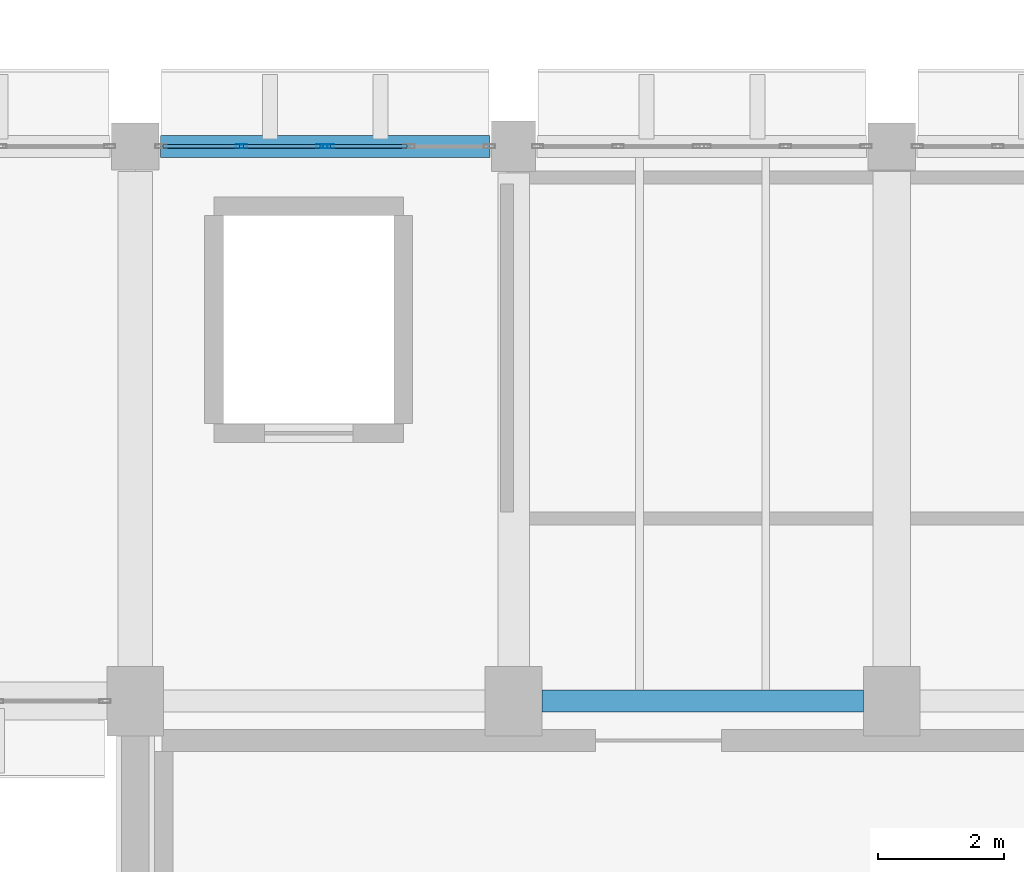
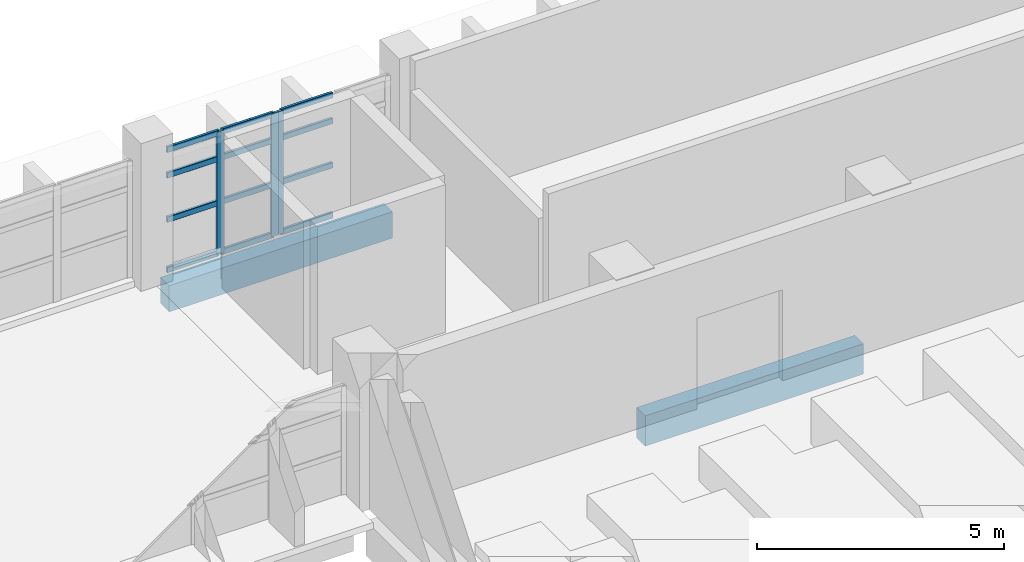
# One storey, part 33 of 80: 15 members, 2 beams, 2 elements without a shape of their own.
"""IFC4 building model written with IfcOpenShell, lengths in metres."""

from ifc_helpers import new_model, si_unit, direction, frame, origin, origin_2d, place, context, subcontext, project, spatial, rectangle, hollow_rectangle, extrude, material, material_profile, profile_set, type_object, element, aggregate, save


model = new_model("IFC4")

# Units and contexts
model_context = context("Model", 3, precision=1e-05, world=origin(), true_north=direction((0.0, 1.0)))
body_context = subcontext(model_context, "Body", "Model", "MODEL_VIEW")
ifc_project = project(units=[si_unit("LENGTHUNIT", "METRE"), si_unit("AREAUNIT", "SQUARE_METRE"), si_unit("VOLUMEUNIT", "CUBIC_METRE"), si_unit("PLANEANGLEUNIT", "RADIAN"), si_unit("MASSUNIT", "GRAM", prefix="KILO")], contexts=[model_context])

# Site, building, storey
site_placement = place(None, origin())
site = spatial("IfcSite", under=ifc_project, at=site_placement, CompositionType="ELEMENT")
building_placement = place(site_placement, origin())
building = spatial("IfcBuilding", under=site, at=building_placement, Name="Varnakota Cinema and Media Centre", CompositionType="ELEMENT")
storey_placement = place(building_placement, frame((0.0, 0.0, 4.5)))
storey = spatial("IfcBuildingStorey", under=building, at=storey_placement, Name="L01", CompositionType="ELEMENT", Elevation=4.5)

# Beams
ifc_material_1 = material(Name="Concrete M40", Category="concrete")
ifc_material_profile_1 = material_profile(ifc_material_1, rectangle(XDim=0.35009765625, YDim=0.64990234375, at=origin_2d()), Name="RCB 350x650")
ifc_profile_set_1 = profile_set([ifc_material_profile_1], Name="Concrete M40")
beam_type_1 = type_object("IfcBeamType", Name="BM-SP-350x650", PredefinedType="SPANDREL", material=ifc_profile_set_1)
beam_1_placement = place(storey_placement, frame((75.39990234375, 44.0, -0.574951171875), z_axis=(1.0, 0.0, 0.0), x_axis=(0.0, 1.0, 0.0)))
element("IfcBeam", 1, at=beam_1_placement, inside=storey, type_object=beam_type_1, Name="L01 girder K-L/6", PredefinedType="SPANDREL", context=body_context, shape_type="SweptSolid", body=[
    extrude(rectangle(XDim=0.35009765625, YDim=0.64990234375, at=origin_2d()), origin(), (0.0, 0.0, 1.0), 5.22509765625),
])
ifc_material_2 = material(Name="Concrete M40", Category="concrete")
ifc_material_profile_2 = material_profile(ifc_material_2, rectangle(XDim=0.35009765625, YDim=0.75, at=origin_2d()), Name="RCB 350x750")
ifc_profile_set_2 = profile_set([ifc_material_profile_2], Name="Concrete M40")
beam_type_2 = type_object("IfcBeamType", Name="BM-SP-350x750", PredefinedType="SPANDREL", material=ifc_profile_set_2)
beam_2_placement = place(storey_placement, frame((81.449951171875, 35.199951171875, -0.625), z_axis=(1.0, 0.0, 0.0), x_axis=(0.0, 1.0, 0.0)))
element("IfcBeam", 2, at=beam_2_placement, inside=storey, type_object=beam_type_2, Name="L01 girder L-M/5", PredefinedType="SPANDREL", context=body_context, shape_type="SweptSolid", body=[
    extrude(rectangle(XDim=0.35009765625, YDim=0.75, at=origin_2d()), origin(), (0.0, 0.0, 1.0), 5.10009765625),
])

# Curtain wall, members
ifc_material_3 = material(Name="Thermally broken anodised aluminium AW-6063", Category="aluminium")
curtain_wall_type = type_object("IfcCurtainWallType", Name="CW-STD-262x304", PredefinedType="USERDEFINED", material=ifc_material_3)
curtain_wall_1_placement = place(storey_placement, origin())
curtain_wall_1 = element("IfcCurtainWall", 3, at=curtain_wall_1_placement, inside=storey, type_object=curtain_wall_type, Name="L01 curtain wall CW-L01-V1-N-01-1", ObjectType="UNITISED CURTAIN WALL", PredefinedType="USERDEFINED")
ifc_material_4 = material(Name="Thermally broken anodised aluminium AW-6063", Category="aluminium")
ifc_material_profile_3 = material_profile(ifc_material_4, hollow_rectangle(XDim=0.06494140625, YDim=0.179931640625, WallThickness=0.00390625, InnerFilletRadius=0.00390625, OuterFilletRadius=0.008056640625, at=origin_2d()), Name="AL-MULLION 180x65x4")
ifc_profile_set_3 = profile_set([ifc_material_profile_3], Name="Thermally broken anodised aluminium AW-6063")
member_type_1 = type_object("IfcMemberType", Name="CWM-AL-180", PredefinedType="MULLION", material=ifc_profile_set_3)
member_1_placement = place(storey_placement, frame((76.683837890625, 44.0, 0.0), z_axis=(0.0, 0.0, 1.0), x_axis=(0.0, 1.0, 0.0)))
member_1 = element("IfcMember", 4, at=member_1_placement, type_object=member_type_1, Name="CW17 mullion 2", PredefinedType="MULLION", context=body_context, shape_type="SweptSolid", body=[
    extrude(hollow_rectangle(XDim=0.06494140625, YDim=0.179931640625, WallThickness=0.00390625, InnerFilletRadius=0.00390625, OuterFilletRadius=0.008056640625, at=origin_2d()), origin(), (0.0, 0.0, 1.0), 3.034912109375),
])
member_2_placement = place(storey_placement, frame((77.9599609375, 44.0, 0.0), z_axis=(0.0, 0.0, 1.0), x_axis=(0.0, 1.0, 0.0)))
member_2 = element("IfcMember", 5, at=member_2_placement, type_object=member_type_1, Name="CW17 mullion 3", PredefinedType="MULLION", context=body_context, shape_type="SweptSolid", body=[
    extrude(hollow_rectangle(XDim=0.06494140625, YDim=0.179931640625, WallThickness=0.00390625, InnerFilletRadius=0.00390625, OuterFilletRadius=0.008056640625, at=origin_2d()), origin(), (0.0, 0.0, 1.0), 3.034912109375),
])

# Curtain wall, member
curtain_wall_2_placement = place(storey_placement, origin())
curtain_wall_2 = element("IfcCurtainWall", 6, at=curtain_wall_2_placement, inside=storey, type_object=curtain_wall_type, Name="L01 curtain wall CW-L01-V1-N-01-2", ObjectType="UNITISED CURTAIN WALL", PredefinedType="USERDEFINED")
member_3_placement = place(storey_placement, frame((78.06494140625, 44.0, 0.0), z_axis=(0.0, 0.0, 1.0), x_axis=(0.0, 1.0, 0.0)))
member_3 = element("IfcMember", 7, at=member_3_placement, type_object=member_type_1, Name="CW17 mullion 1", PredefinedType="MULLION", context=body_context, shape_type="SweptSolid", body=[
    extrude(hollow_rectangle(XDim=0.06494140625, YDim=0.179931640625, WallThickness=0.00390625, InnerFilletRadius=0.00390625, OuterFilletRadius=0.008056640625, at=origin_2d()), origin(), (0.0, 0.0, 1.0), 3.034912109375),
])

# Member
ifc_material_5 = material(Name="Thermally broken anodised aluminium AW-6063", Category="aluminium")
ifc_material_profile_4 = material_profile(ifc_material_5, hollow_rectangle(XDim=0.06494140625, YDim=0.139892578125, WallThickness=0.00390625, InnerFilletRadius=0.00390625, OuterFilletRadius=0.008056640625, at=origin_2d()), Name="AL-TRANSOM 140x65x4")
ifc_profile_set_4 = profile_set([ifc_material_profile_4], Name="Thermally broken anodised aluminium AW-6063")
member_type_2 = type_object("IfcMemberType", Name="CWT-AL-140", PredefinedType="USERDEFINED", material=ifc_profile_set_4)
member_4_placement = place(storey_placement, frame((75.43994140625, 44.0, 0.032470703125), z_axis=(1.0, 0.0, 0.0), x_axis=(0.0, 1.0, 0.0)))
member_4 = element("IfcMember", 8, at=member_4_placement, type_object=member_type_2, Name="CW17 transom 1.1", ObjectType="TRANSOM", PredefinedType="USERDEFINED", context=body_context, shape_type="SweptSolid", body=[
    extrude(hollow_rectangle(XDim=0.06494140625, YDim=0.139892578125, WallThickness=0.00390625, InnerFilletRadius=0.00390625, OuterFilletRadius=0.008056640625, at=origin_2d()), origin(), (0.0, 0.0, 1.0), 1.21142578125),
])

member_5_placement = place(storey_placement, frame((75.43994140625, 44.0, 1.274658203125), z_axis=(1.0, 0.0, 0.0), x_axis=(0.0, 1.0, 0.0)))
member_5 = element("IfcMember", 9, at=member_5_placement, type_object=member_type_2, Name="CW17 transom 1.2", ObjectType="TRANSOM", PredefinedType="USERDEFINED", context=body_context, shape_type="SweptSolid", body=[
    extrude(hollow_rectangle(XDim=0.06494140625, YDim=0.139892578125, WallThickness=0.00390625, InnerFilletRadius=0.00390625, OuterFilletRadius=0.008056640625, at=origin_2d()), origin(), (0.0, 0.0, 1.0), 1.21142578125),
])

member_6_placement = place(storey_placement, frame((75.43994140625, 44.0, 2.3671875), z_axis=(1.0, 0.0, 0.0), x_axis=(0.0, 1.0, 0.0)))
member_6 = element("IfcMember", 10, at=member_6_placement, type_object=member_type_2, Name="CW17 transom 1.3", ObjectType="TRANSOM", PredefinedType="USERDEFINED", context=body_context, shape_type="SweptSolid", body=[
    extrude(hollow_rectangle(XDim=0.06494140625, YDim=0.139892578125, WallThickness=0.00390625, InnerFilletRadius=0.00390625, OuterFilletRadius=0.008056640625, at=origin_2d()), origin(), (0.0, 0.0, 1.0), 1.21142578125),
])

member_7_placement = place(storey_placement, frame((75.43994140625, 44.0, 3.00244140625), z_axis=(1.0, 0.0, 0.0), x_axis=(0.0, 1.0, 0.0)))
member_7 = element("IfcMember", 11, at=member_7_placement, type_object=member_type_2, Name="CW17 transom 1.4", ObjectType="TRANSOM", PredefinedType="USERDEFINED", context=body_context, shape_type="SweptSolid", body=[
    extrude(hollow_rectangle(XDim=0.06494140625, YDim=0.139892578125, WallThickness=0.00390625, InnerFilletRadius=0.00390625, OuterFilletRadius=0.008056640625, at=origin_2d()), origin(), (0.0, 0.0, 1.0), 1.21142578125),
])

member_8_placement = place(storey_placement, frame((76.71630859375, 44.0, 0.032470703125), z_axis=(1.0, 0.0, 0.0), x_axis=(0.0, 1.0, 0.0)))
member_8 = element("IfcMember", 12, at=member_8_placement, type_object=member_type_2, Name="CW17 transom 2.1", ObjectType="TRANSOM", PredefinedType="USERDEFINED", context=body_context, shape_type="SweptSolid", body=[
    extrude(hollow_rectangle(XDim=0.06494140625, YDim=0.139892578125, WallThickness=0.00390625, InnerFilletRadius=0.00390625, OuterFilletRadius=0.008056640625, at=origin_2d()), origin(), (0.0, 0.0, 1.0), 1.211181640625),
])

member_9_placement = place(storey_placement, frame((76.71630859375, 44.0, 1.274658203125), z_axis=(1.0, 0.0, 0.0), x_axis=(0.0, 1.0, 0.0)))
member_9 = element("IfcMember", 13, at=member_9_placement, type_object=member_type_2, Name="CW17 transom 2.2", ObjectType="TRANSOM", PredefinedType="USERDEFINED", context=body_context, shape_type="SweptSolid", body=[
    extrude(hollow_rectangle(XDim=0.06494140625, YDim=0.139892578125, WallThickness=0.00390625, InnerFilletRadius=0.00390625, OuterFilletRadius=0.008056640625, at=origin_2d()), origin(), (0.0, 0.0, 1.0), 1.211181640625),
])

member_10_placement = place(storey_placement, frame((76.71630859375, 44.0, 2.3671875), z_axis=(1.0, 0.0, 0.0), x_axis=(0.0, 1.0, 0.0)))
member_10 = element("IfcMember", 14, at=member_10_placement, type_object=member_type_2, Name="CW17 transom 2.3", ObjectType="TRANSOM", PredefinedType="USERDEFINED", context=body_context, shape_type="SweptSolid", body=[
    extrude(hollow_rectangle(XDim=0.06494140625, YDim=0.139892578125, WallThickness=0.00390625, InnerFilletRadius=0.00390625, OuterFilletRadius=0.008056640625, at=origin_2d()), origin(), (0.0, 0.0, 1.0), 1.211181640625),
])

member_11_placement = place(storey_placement, frame((76.71630859375, 44.0, 3.00244140625), z_axis=(1.0, 0.0, 0.0), x_axis=(0.0, 1.0, 0.0)))
member_11 = element("IfcMember", 15, at=member_11_placement, type_object=member_type_2, Name="CW17 transom 2.4", ObjectType="TRANSOM", PredefinedType="USERDEFINED", context=body_context, shape_type="SweptSolid", body=[
    extrude(hollow_rectangle(XDim=0.06494140625, YDim=0.139892578125, WallThickness=0.00390625, InnerFilletRadius=0.00390625, OuterFilletRadius=0.008056640625, at=origin_2d()), origin(), (0.0, 0.0, 1.0), 1.211181640625),
])

aggregate(curtain_wall_1, [member_1, member_2, member_4, member_5, member_6, member_7, member_8, member_9, member_10, member_11])

member_12_placement = place(storey_placement, frame((78.097412109375, 44.0, 0.032470703125), z_axis=(1.0, 0.0, 0.0), x_axis=(0.0, 1.0, 0.0)))
member_12 = element("IfcMember", 16, at=member_12_placement, type_object=member_type_2, Name="CW17 transom 1.1", ObjectType="TRANSOM", PredefinedType="USERDEFINED", context=body_context, shape_type="SweptSolid", body=[
    extrude(hollow_rectangle(XDim=0.06494140625, YDim=0.139892578125, WallThickness=0.00390625, InnerFilletRadius=0.00390625, OuterFilletRadius=0.008056640625, at=origin_2d()), origin(), (0.0, 0.0, 1.0), 1.21142578125),
])

member_13_placement = place(storey_placement, frame((78.097412109375, 44.0, 1.274658203125), z_axis=(1.0, 0.0, 0.0), x_axis=(0.0, 1.0, 0.0)))
member_13 = element("IfcMember", 17, at=member_13_placement, type_object=member_type_2, Name="CW17 transom 1.2", ObjectType="TRANSOM", PredefinedType="USERDEFINED", context=body_context, shape_type="SweptSolid", body=[
    extrude(hollow_rectangle(XDim=0.06494140625, YDim=0.139892578125, WallThickness=0.00390625, InnerFilletRadius=0.00390625, OuterFilletRadius=0.008056640625, at=origin_2d()), origin(), (0.0, 0.0, 1.0), 1.21142578125),
])

member_14_placement = place(storey_placement, frame((78.097412109375, 44.0, 2.3671875), z_axis=(1.0, 0.0, 0.0), x_axis=(0.0, 1.0, 0.0)))
member_14 = element("IfcMember", 18, at=member_14_placement, type_object=member_type_2, Name="CW17 transom 1.3", ObjectType="TRANSOM", PredefinedType="USERDEFINED", context=body_context, shape_type="SweptSolid", body=[
    extrude(hollow_rectangle(XDim=0.06494140625, YDim=0.139892578125, WallThickness=0.00390625, InnerFilletRadius=0.00390625, OuterFilletRadius=0.008056640625, at=origin_2d()), origin(), (0.0, 0.0, 1.0), 1.21142578125),
])

member_15_placement = place(storey_placement, frame((78.097412109375, 44.0, 3.00244140625), z_axis=(1.0, 0.0, 0.0), x_axis=(0.0, 1.0, 0.0)))
member_15 = element("IfcMember", 19, at=member_15_placement, type_object=member_type_2, Name="CW17 transom 1.4", ObjectType="TRANSOM", PredefinedType="USERDEFINED", context=body_context, shape_type="SweptSolid", body=[
    extrude(hollow_rectangle(XDim=0.06494140625, YDim=0.139892578125, WallThickness=0.00390625, InnerFilletRadius=0.00390625, OuterFilletRadius=0.008056640625, at=origin_2d()), origin(), (0.0, 0.0, 1.0), 1.21142578125),
])

aggregate(curtain_wall_2, [member_3, member_12, member_13, member_14, member_15])

save(model, "model.ifc")
